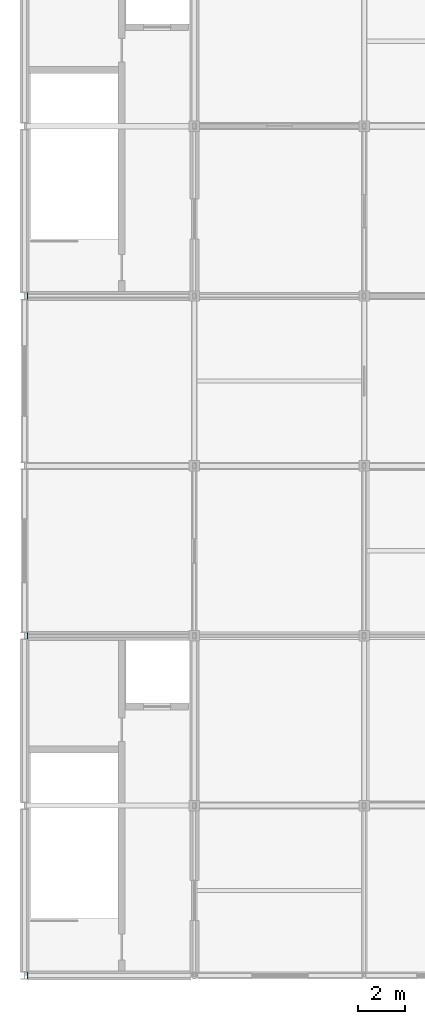
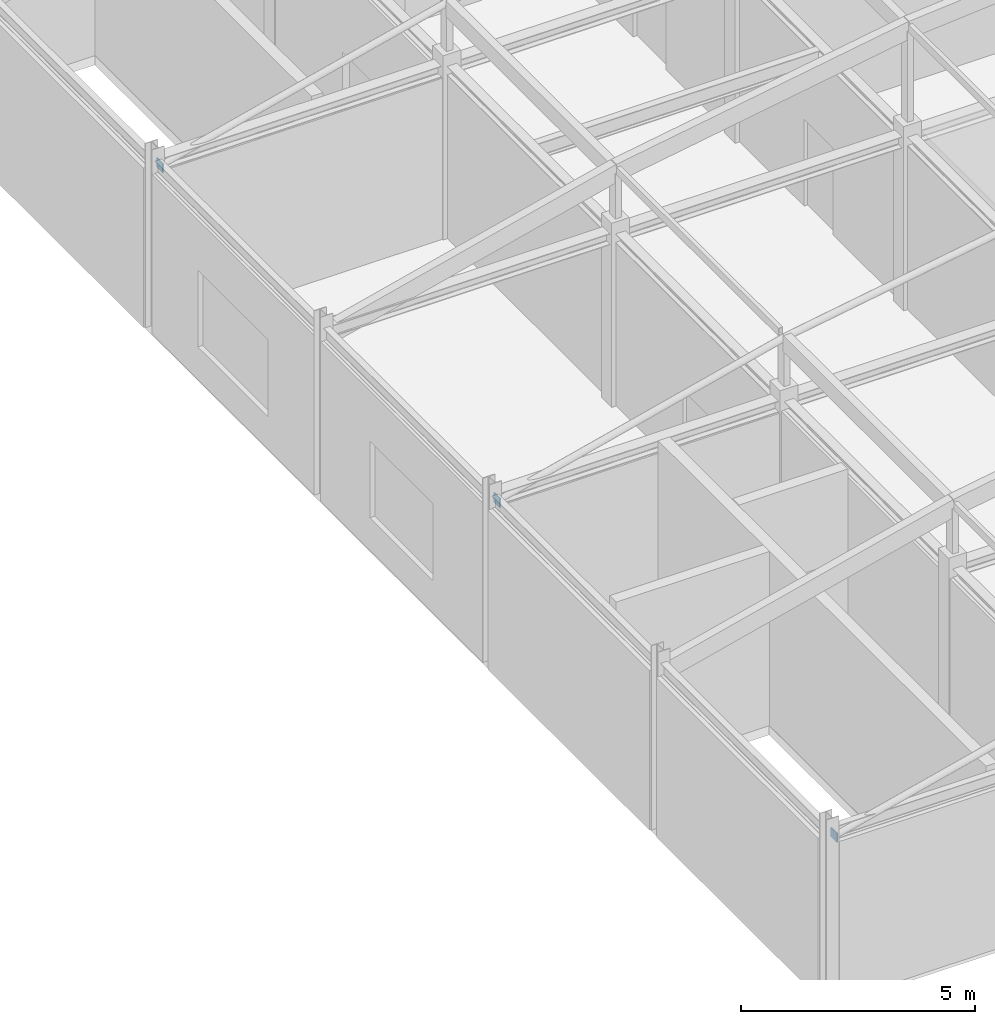
# One storey, part 16 of 23: 3 plates.
"""IFC4 building model written with IfcOpenShell, lengths in metres."""

from ifc_helpers import new_model, si_unit, direction, frame, origin, origin_2d, place, context, subcontext, project, spatial, rectangle, extrude, material, layer, layer_set, type_object, element, save


model = new_model("IFC4")

# Units and contexts
model_context = context("Model", 3, precision=1e-05, world=origin(), true_north=direction((0.0, 1.0)))
body_context = subcontext(model_context, "Body", "Model", "MODEL_VIEW")
ifc_project = project(units=[si_unit("LENGTHUNIT", "METRE"), si_unit("AREAUNIT", "SQUARE_METRE"), si_unit("VOLUMEUNIT", "CUBIC_METRE"), si_unit("PLANEANGLEUNIT", "RADIAN"), si_unit("MASSUNIT", "GRAM", prefix="KILO")], contexts=[model_context])

# Site, building, storey
site_placement = place(None, origin())
site = spatial("IfcSite", under=ifc_project, at=site_placement, CompositionType="ELEMENT")
building_placement = place(site_placement, origin())
building = spatial("IfcBuilding", under=site, at=building_placement, Name="Cendaluz Park School", CompositionType="ELEMENT")
storey_placement = place(building_placement, frame((0.0, 0.0, 67.199951171875)))
storey = spatial("IfcBuildingStorey", under=building, at=storey_placement, Name="L16", CompositionType="ELEMENT", Elevation=67.199951171875)

# Plates
ifc_material = material(Name="Steel S355", Category="steel")
ifc_layer = layer(ifc_material, 0.030029296875)
ifc_layer_set = layer_set([ifc_layer], Name="Steel S355")
plate_type = type_object("IfcPlateType", Name="GP-02", PredefinedType="SHEET", material=ifc_layer_set)
for number, where, z_axis, x_axis, name in (
    (1, (64.929931640625, 14.39990234375, 4.10009765625), (0.0, 0.0, 1.0), (1.0, 0.0, 0.0), "GP-L16-01W"),
    (2, (64.929931640625, 28.800048828125, 4.10009765625), (0.0, 0.0, 1.0), (1.0, 0.0, 0.0), "GP-L16-02W"),
    (3, (64.929931640625, 43.199951171875, 4.10009765625), (0.0, 0.0, 1.0), (1.0, 0.0, 0.0), "GP-L16-03W"),
):
    element("IfcPlate", number, at=place(storey_placement, frame(where, z_axis=z_axis, x_axis=x_axis)), inside=storey, type_object=plate_type, Name=name, PredefinedType="SHEET", context=body_context, shape_type="SweptSolid", body=[
        extrude(rectangle(XDim=0.030029296875, YDim=0.263916015625, at=origin_2d()), origin(), (0.0, 0.0, 1.0), 0.239990234375),
    ])

save(model, "model.ifc")
